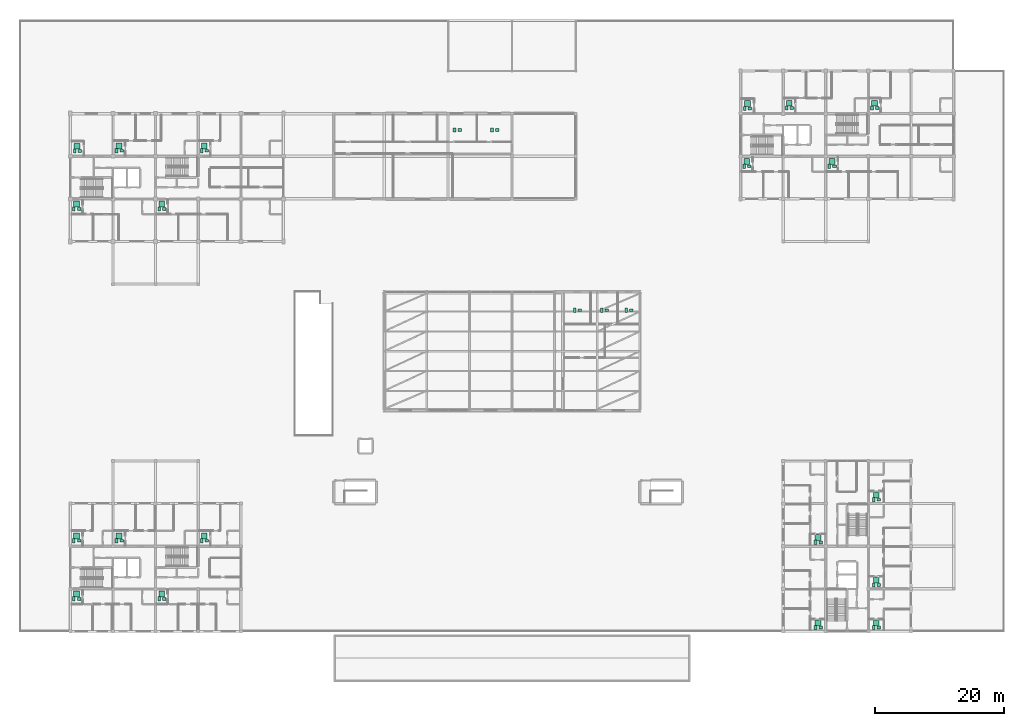
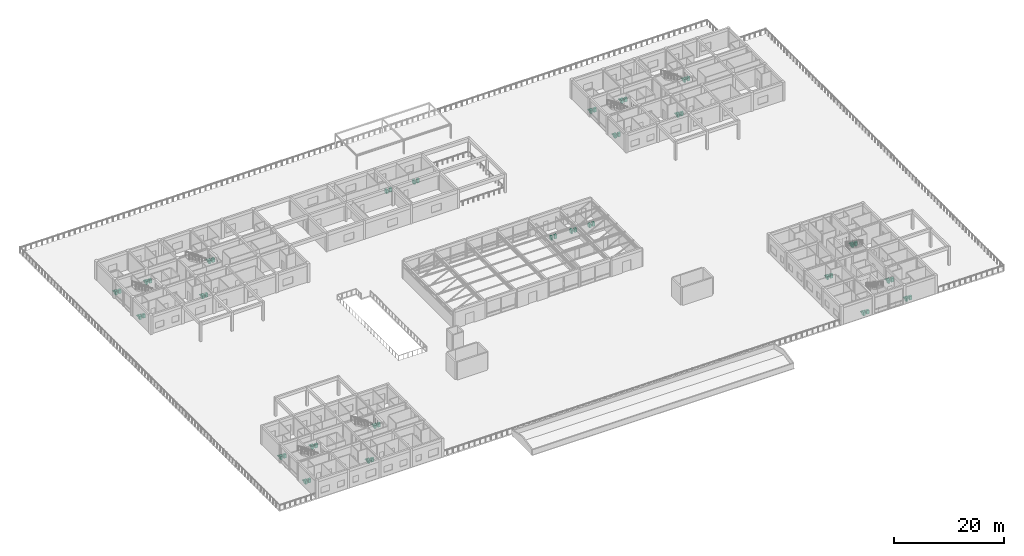
# One storey, part 92 of 92: 70 sanitary terminals.
"""IFC4 building model written with IfcOpenShell, lengths in metres."""

from ifc_helpers import new_model, si_unit, direction, frame, origin, origin_2d, place, context, subcontext, project, spatial, rectangle, extrude, material, type_object, element, save


model = new_model("IFC4")

# Units and contexts
model_context = context("Model", 3, precision=1e-05, world=origin(), true_north=direction((0.0, 1.0)))
body_context = subcontext(model_context, "Body", "Model", "MODEL_VIEW")
ifc_project = project(units=[si_unit("LENGTHUNIT", "METRE"), si_unit("AREAUNIT", "SQUARE_METRE"), si_unit("VOLUMEUNIT", "CUBIC_METRE"), si_unit("PLANEANGLEUNIT", "RADIAN"), si_unit("MASSUNIT", "GRAM", prefix="KILO")], contexts=[model_context])

# Site, building, storey
site_placement = place(None, origin())
site = spatial("IfcSite", under=ifc_project, at=site_placement, CompositionType="ELEMENT")
building_placement = place(site_placement, origin())
building = spatial("IfcBuilding", under=site, at=building_placement, Name="Kernevlak Ridge Housing Community", CompositionType="ELEMENT")
storey_placement = place(building_placement, frame((0.0, 0.0, 4.199951171875)))
storey = spatial("IfcBuildingStorey", under=building, at=storey_placement, Name="L01", CompositionType="ELEMENT", Elevation=4.199951171875)

# Sanitary terminals
ifc_material_1 = material(Name="Vitreous china ceramic")
sanitary_terminal_type_1 = type_object("IfcSanitaryTerminalType", Name="SN-BS", PredefinedType="WASHHANDBASIN", material=ifc_material_1)
for number, where, z_axis, x_axis, name in (
    (1, (16.949951171875, 81.050048828125, 0.0), (0.0, 0.0, 1.0), (1.0, 0.0, 0.0), "Washhand basin 5"),
    (2, (30.14990234375, 81.050048828125, 0.0), (0.0, 0.0, 1.0), (1.0, 0.0, 0.0), "Washhand basin 6"),
    (3, (17.050048828125, 90.0, 0.0), (0.0, 0.0, 1.0), (1.0, 0.0, 0.0), "Washhand basin 7"),
    (4, (23.550048828125, 90.050048828125, 0.0), (0.0, 0.0, 1.0), (1.0, 0.0, 0.0), "Washhand basin 8"),
    (5, (36.75, 90.050048828125, 0.0), (0.0, 0.0, 1.0), (1.0, 0.0, 0.0), "Washhand basin 9"),
    (6, (120.75, 87.64990234375, 0.0), (0.0, 0.0, 1.0), (1.0, 0.0, 0.0), "Washhand basin 102"),
    (7, (133.949951171875, 87.64990234375, 0.0), (0.0, 0.0, 1.0), (1.0, 0.0, 0.0), "Washhand basin 103"),
    (8, (120.85009765625, 96.60009765625, 0.0), (0.0, 0.0, 1.0), (1.0, 0.0, 0.0), "Washhand basin 104"),
    (9, (127.35009765625, 96.64990234375, 0.0), (0.0, 0.0, 1.0), (1.0, 0.0, 0.0), "Washhand basin 105"),
    (10, (140.550048828125, 96.64990234375, 0.0), (0.0, 0.0, 1.0), (1.0, 0.0, 0.0), "Washhand basin 106"),
    (11, (131.800048828125, 16.199951171875, 0.0), (0.0, 0.0, 1.0), (1.0, 0.0, 0.0), "Washhand basin 184"),
    (12, (131.800048828125, 29.39990234375, 0.0), (0.0, 0.0, 1.0), (1.0, 0.0, 0.0), "Washhand basin 185"),
    (13, (140.800048828125, 16.199951171875, 0.0), (0.0, 0.0, 1.0), (1.0, 0.0, 0.0), "Washhand basin 186"),
    (14, (140.800048828125, 22.800048828125, 0.0), (0.0, 0.0, 1.0), (1.0, 0.0, 0.0), "Washhand basin 187"),
    (15, (140.800048828125, 36.0, 0.0), (0.0, 0.0, 1.0), (1.0, 0.0, 0.0), "Washhand basin 188"),
    (16, (16.949951171875, 20.64990234375, 0.0), (0.0, 0.0, 1.0), (1.0, 0.0, 0.0), "Washhand basin 249"),
    (17, (30.14990234375, 20.64990234375, 0.0), (0.0, 0.0, 1.0), (1.0, 0.0, 0.0), "Washhand basin 250"),
    (18, (16.949951171875, 29.64990234375, 0.0), (0.0, 0.0, 1.0), (1.0, 0.0, 0.0), "Washhand basin 251"),
    (19, (23.550048828125, 29.64990234375, 0.0), (0.0, 0.0, 1.0), (1.0, 0.0, 0.0), "Washhand basin 252"),
    (20, (36.75, 29.64990234375, 0.0), (0.0, 0.0, 1.0), (1.0, 0.0, 0.0), "Washhand basin 253"),
    (21, (94.5, 65.35009765625, 0.0), (0.0, 0.0, 1.0), (1.0, 0.0, 0.0), "Washhand basin 298"),
    (22, (98.699951171875, 65.35009765625, 0.0), (0.0, 0.0, 1.0), (1.0, 0.0, 0.0), "Washhand basin 299"),
    (23, (102.5, 65.35009765625, 0.0), (0.0, 0.0, 1.0), (1.0, 0.0, 0.0), "Washhand basin 300"),
    (24, (75.89990234375, 93.25, 0.0), (0.0, 0.0, 1.0), (1.0, 0.0, 0.0), "Washhand basin 301"),
    (25, (81.699951171875, 93.25, 0.0), (0.0, 0.0, 1.0), (1.0, 0.0, 0.0), "Washhand basin 302"),
):
    element("IfcSanitaryTerminal", number, at=place(storey_placement, frame(where, z_axis=z_axis, x_axis=x_axis)), inside=storey, type_object=sanitary_terminal_type_1, Name=name, PredefinedType="WASHHANDBASIN", context=body_context, shape_type="SweptSolid", body=[
        extrude(rectangle(XDim=0.550048828125, YDim=0.449951171875, at=origin_2d()), origin(), (0.0, 0.0, 1.0), 0.820068359375),
    ])
ifc_material_2 = material(Name="Glazed porcelain ceramic")
sanitary_terminal_type_2 = type_object("IfcSanitaryTerminalType", Name="SN-SH", PredefinedType="SHOWER", material=ifc_material_2)
for number, where, z_axis, x_axis, name in (
    (26, (16.550048828125, 81.800048828125, 0.0), (0.0, 0.0, 1.0), (1.0, 0.0, 0.0), "Shower tray 5"),
    (27, (29.75, 81.800048828125, 0.0), (0.0, 0.0, 1.0), (1.0, 0.0, 0.0), "Shower tray 6"),
    (28, (16.64990234375, 90.75, 0.0), (0.0, 0.0, 1.0), (1.0, 0.0, 0.0), "Shower tray 7"),
    (29, (23.14990234375, 90.800048828125, 0.0), (0.0, 0.0, 1.0), (1.0, 0.0, 0.0), "Shower tray 8"),
    (30, (36.35009765625, 90.800048828125, 0.0), (0.0, 0.0, 1.0), (1.0, 0.0, 0.0), "Shower tray 9"),
    (31, (120.35009765625, 88.39990234375, 0.0), (0.0, 0.0, 1.0), (1.0, 0.0, 0.0), "Shower tray 102"),
    (32, (133.550048828125, 88.39990234375, 0.0), (0.0, 0.0, 1.0), (1.0, 0.0, 0.0), "Shower tray 103"),
    (33, (120.449951171875, 97.35009765625, 0.0), (0.0, 0.0, 1.0), (1.0, 0.0, 0.0), "Shower tray 104"),
    (34, (126.949951171875, 97.39990234375, 0.0), (0.0, 0.0, 1.0), (1.0, 0.0, 0.0), "Shower tray 105"),
    (35, (140.14990234375, 97.39990234375, 0.0), (0.0, 0.0, 1.0), (1.0, 0.0, 0.0), "Shower tray 106"),
    (36, (131.39990234375, 16.949951171875, 0.0), (0.0, 0.0, 1.0), (1.0, 0.0, 0.0), "Shower tray 184"),
    (37, (131.39990234375, 30.14990234375, 0.0), (0.0, 0.0, 1.0), (1.0, 0.0, 0.0), "Shower tray 185"),
    (38, (140.39990234375, 16.949951171875, 0.0), (0.0, 0.0, 1.0), (1.0, 0.0, 0.0), "Shower tray 186"),
    (39, (140.39990234375, 23.550048828125, 0.0), (0.0, 0.0, 1.0), (1.0, 0.0, 0.0), "Shower tray 187"),
    (40, (140.39990234375, 36.75, 0.0), (0.0, 0.0, 1.0), (1.0, 0.0, 0.0), "Shower tray 188"),
    (41, (16.550048828125, 21.39990234375, 0.0), (0.0, 0.0, 1.0), (1.0, 0.0, 0.0), "Shower tray 249"),
    (42, (29.75, 21.39990234375, 0.0), (0.0, 0.0, 1.0), (1.0, 0.0, 0.0), "Shower tray 250"),
    (43, (16.550048828125, 30.39990234375, 0.0), (0.0, 0.0, 1.0), (1.0, 0.0, 0.0), "Shower tray 251"),
    (44, (23.14990234375, 30.39990234375, 0.0), (0.0, 0.0, 1.0), (1.0, 0.0, 0.0), "Shower tray 252"),
    (45, (36.35009765625, 30.39990234375, 0.0), (0.0, 0.0, 1.0), (1.0, 0.0, 0.0), "Shower tray 253"),
):
    element("IfcSanitaryTerminal", number, at=place(storey_placement, frame(where, z_axis=z_axis, x_axis=x_axis)), inside=storey, type_object=sanitary_terminal_type_2, Name=name, PredefinedType="SHOWER", context=body_context, shape_type="SweptSolid", body=[
        extrude(rectangle(XDim=0.89990234375, YDim=0.89990234375, at=origin_2d()), origin(), (0.0, 0.0, 1.0), 0.1201171875),
    ])
sanitary_terminal_type_3 = type_object("IfcSanitaryTerminalType", Name="SN-WC", PredefinedType="TOILETPAN", material=ifc_material_1)
for number, where, z_axis, x_axis, name in (
    (46, (16.14990234375, 81.050048828125, 0.0), (0.0, 0.0, 1.0), (1.0, 0.0, 0.0), "WC pan 5"),
    (47, (29.35009765625, 81.050048828125, 0.0), (0.0, 0.0, 1.0), (1.0, 0.0, 0.0), "WC pan 6"),
    (48, (16.25, 90.0, 0.0), (0.0, 0.0, 1.0), (1.0, 0.0, 0.0), "WC pan 7"),
    (49, (22.75, 90.050048828125, 0.0), (0.0, 0.0, 1.0), (1.0, 0.0, 0.0), "WC pan 8"),
    (50, (35.949951171875, 90.050048828125, 0.0), (0.0, 0.0, 1.0), (1.0, 0.0, 0.0), "WC pan 9"),
    (51, (119.949951171875, 87.64990234375, 0.0), (0.0, 0.0, 1.0), (1.0, 0.0, 0.0), "WC pan 102"),
    (52, (133.14990234375, 87.64990234375, 0.0), (0.0, 0.0, 1.0), (1.0, 0.0, 0.0), "WC pan 103"),
    (53, (120.050048828125, 96.60009765625, 0.0), (0.0, 0.0, 1.0), (1.0, 0.0, 0.0), "WC pan 104"),
    (54, (126.550048828125, 96.64990234375, 0.0), (0.0, 0.0, 1.0), (1.0, 0.0, 0.0), "WC pan 105"),
    (55, (139.75, 96.64990234375, 0.0), (0.0, 0.0, 1.0), (1.0, 0.0, 0.0), "WC pan 106"),
    (56, (131.0, 16.199951171875, 0.0), (0.0, 0.0, 1.0), (1.0, 0.0, 0.0), "WC pan 184"),
    (57, (131.0, 29.39990234375, 0.0), (0.0, 0.0, 1.0), (1.0, 0.0, 0.0), "WC pan 185"),
    (58, (140.0, 16.199951171875, 0.0), (0.0, 0.0, 1.0), (1.0, 0.0, 0.0), "WC pan 186"),
    (59, (140.0, 22.800048828125, 0.0), (0.0, 0.0, 1.0), (1.0, 0.0, 0.0), "WC pan 187"),
    (60, (140.0, 36.0, 0.0), (0.0, 0.0, 1.0), (1.0, 0.0, 0.0), "WC pan 188"),
    (61, (16.14990234375, 20.64990234375, 0.0), (0.0, 0.0, 1.0), (1.0, 0.0, 0.0), "WC pan 249"),
    (62, (29.35009765625, 20.64990234375, 0.0), (0.0, 0.0, 1.0), (1.0, 0.0, 0.0), "WC pan 250"),
    (63, (16.14990234375, 29.64990234375, 0.0), (0.0, 0.0, 1.0), (1.0, 0.0, 0.0), "WC pan 251"),
    (64, (22.75, 29.64990234375, 0.0), (0.0, 0.0, 1.0), (1.0, 0.0, 0.0), "WC pan 252"),
    (65, (35.949951171875, 29.64990234375, 0.0), (0.0, 0.0, 1.0), (1.0, 0.0, 0.0), "WC pan 253"),
    (66, (93.699951171875, 65.35009765625, 0.0), (0.0, 0.0, 1.0), (1.0, 0.0, 0.0), "WC pan 298"),
    (67, (97.89990234375, 65.35009765625, 0.0), (0.0, 0.0, 1.0), (1.0, 0.0, 0.0), "WC pan 299"),
    (68, (101.699951171875, 65.35009765625, 0.0), (0.0, 0.0, 1.0), (1.0, 0.0, 0.0), "WC pan 300"),
    (69, (75.10009765625, 93.25, 0.0), (0.0, 0.0, 1.0), (1.0, 0.0, 0.0), "WC pan 301"),
    (70, (80.89990234375, 93.25, 0.0), (0.0, 0.0, 1.0), (1.0, 0.0, 0.0), "WC pan 302"),
):
    element("IfcSanitaryTerminal", number, at=place(storey_placement, frame(where, z_axis=z_axis, x_axis=x_axis)), inside=storey, type_object=sanitary_terminal_type_3, Name=name, PredefinedType="TOILETPAN", context=body_context, shape_type="SweptSolid", body=[
        extrude(rectangle(XDim=0.39990234375, YDim=0.64990234375, at=origin_2d()), origin(), (0.0, 0.0, 1.0), 0.780029296875),
    ])

save(model, "model.ifc")
